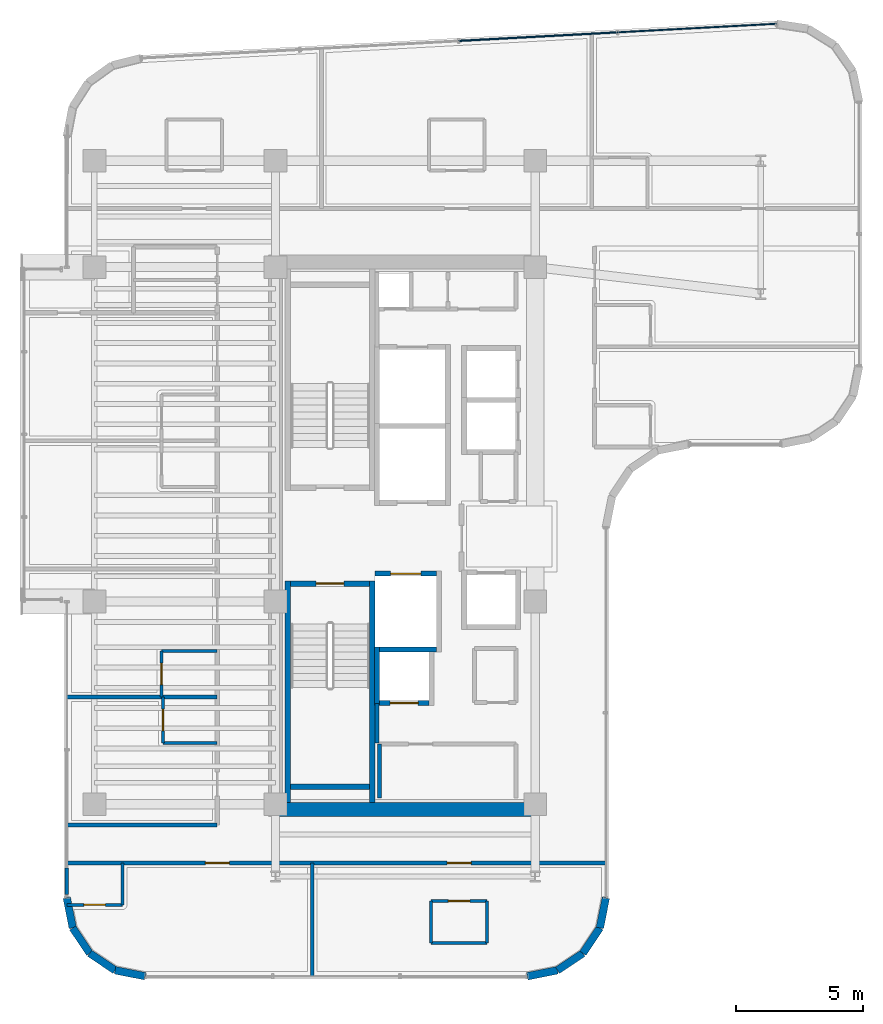
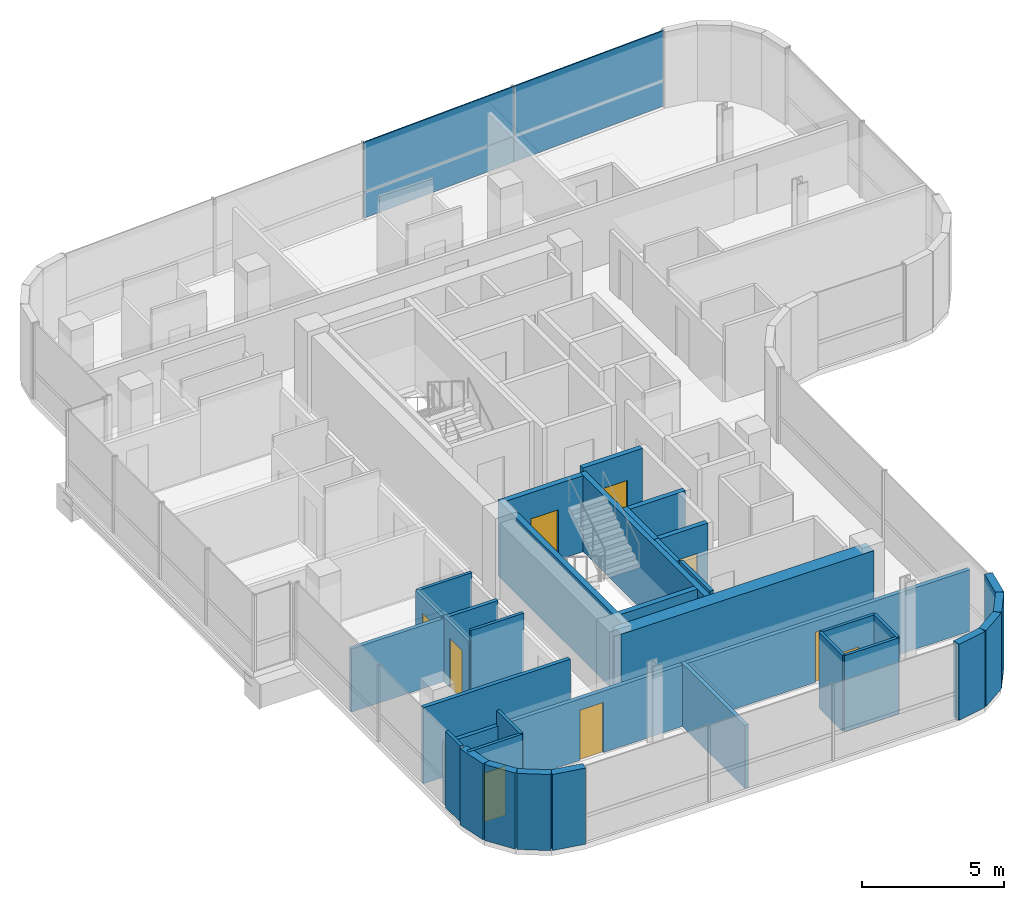
# One storey, part 16 of 22: 34 walls, 9 doors, 3 plates, 9 openings, 1 element without a shape of its own.
"""IFC4 building model written with IfcOpenShell, lengths in metres."""

import ifcopenshell
import ifcopenshell.guid

model = None  # the IFC model being written
_history = None  # IfcOwnerHistory: only IFC2X3 demands one
_inside = {}  # id of a spatial element -> (the spatial element, [elements in it])
_under = {}  # id of a project, library or spatial element -> (it, [spatial elements below it])
_declared = {}  # id of a project -> (the project, [libraries it declares])
_typed = {}  # id of a type object -> (the type object, [elements of that type])
_made_of = {}  # id of a material, layer set ... -> (it, [elements and type objects made of it])


def new_model(schema):
    """Start an empty IFC model of exactly this schema.

    Asked for "IFC4X3", IfcOpenShell would pick the latest addendum, in which some entities
    have other attributes; the version numbers below select the first issue.
    IFC2X3 requires an IfcOwnerHistory on every rooted entity: one is made here for all.
    """
    global model, _history
    if schema == "IFC4X3":
        model = ifcopenshell.file(schema_version=(4, 3, 0, 0))
    else:
        model = ifcopenshell.file(schema=schema)
    _inside.clear()
    _under.clear()
    _declared.clear()
    _typed.clear()
    _made_of.clear()
    _history = None
    if model.schema == "IFC2X3":
        org = make("IfcOrganization", Name="unknown")
        user = make(
            "IfcPersonAndOrganization",
            ThePerson=make("IfcPerson", FamilyName="unknown"),
            TheOrganization=org,
        )
        app = make(
            "IfcApplication",
            ApplicationDeveloper=org,
            Version="unknown",
            ApplicationFullName="unknown",
            ApplicationIdentifier="unknown",
        )
        _history = make(
            "IfcOwnerHistory",
            OwningUser=user,
            OwningApplication=app,
            ChangeAction="ADDED",
            CreationDate=0,
        )
    return model


def make(cls, **values):
    """One entity of the class cls with the attributes given. An attribute that is None is left unset."""
    return model.create_entity(
        cls, **{name: value for name, value in values.items() if value is not None}
    )


def rooted(cls, **values):
    """An entity with a GlobalId (a new one), such as an element, a storey or a relation."""
    return make(cls, GlobalId=ifcopenshell.guid.new(), OwnerHistory=_history, **values)


def si_unit(unit_type, name, prefix=None):
    """IfcSIUnit, for example si_unit("LENGTHUNIT", "METRE", prefix="MILLI")."""
    return make("IfcSIUnit", UnitType=unit_type, Prefix=prefix, Name=name)


def assignment(units):
    """IfcUnitAssignment: the units of a project."""
    return None if units is None else make("IfcUnitAssignment", Units=units)


def point(xyz):
    """IfcCartesianPoint."""
    return None if xyz is None else make("IfcCartesianPoint", Coordinates=xyz)


def direction(xyz):
    """IfcDirection."""
    return None if xyz is None else make("IfcDirection", DirectionRatios=xyz)


def frame(location, z_axis=None, x_axis=None):
    """IfcAxis2Placement3D, a coordinate frame: its origin and axes. An axis left out is left unset."""
    return make(
        "IfcAxis2Placement3D",
        Location=point(location),
        Axis=direction(z_axis),
        RefDirection=direction(x_axis),
    )


def frame_2d(location, x_axis=None):
    """IfcAxis2Placement2D, a coordinate frame in the plane: its origin and x axis."""
    return make(
        "IfcAxis2Placement2D", Location=point(location), RefDirection=direction(x_axis)
    )


def origin():
    """The frame at (0, 0, 0) with its axes left unset."""
    return frame((0.0, 0.0, 0.0))


def origin_2d():
    """The frame at (0, 0) in the plane with its x axis left unset."""
    return frame_2d((0.0, 0.0))


def place(relative_to, where):
    """IfcLocalPlacement: puts the frame where relative to a parent placement (None: the world)."""
    return make(
        "IfcLocalPlacement", PlacementRelTo=relative_to, RelativePlacement=where
    )


def context(
    kind, dimensions, precision=None, world=None, true_north=None, identifier=None
):
    """IfcGeometricRepresentationContext, for example the 3D "Model" context."""
    return make(
        "IfcGeometricRepresentationContext",
        ContextIdentifier=identifier,
        ContextType=kind,
        CoordinateSpaceDimension=dimensions,
        Precision=precision,
        WorldCoordinateSystem=world,
        TrueNorth=true_north,
    )


def subcontext(parent, identifier, kind, view, scale=None):
    """IfcGeometricRepresentationSubContext, for example "Body" below "Model"."""
    return make(
        "IfcGeometricRepresentationSubContext",
        ContextIdentifier=identifier,
        ContextType=kind,
        ParentContext=parent,
        TargetScale=scale,
        TargetView=view,
    )


def project(units=None, contexts=None):
    """IfcProject with its units and contexts."""
    return rooted(
        "IfcProject",
        Name="project",
        RepresentationContexts=contexts,
        UnitsInContext=assignment(units),
    )


def spatial(cls, under=None, at=None, **own):
    """A site, building, storey or space (cls), placed at a placement, below another one or the project."""
    s = rooted(cls, ObjectPlacement=at, **own)
    if under is not None:
        _under.setdefault(under.id(), (under, []))[1].append(s)
    return s


def profile(cls, at=None, kind="AREA", **sizes):
    """A parametric profile (cls). Its sizes go by their IFC names, for example OverallWidth=200.0."""
    return make(cls, ProfileType=kind, Position=at, **sizes)


def rectangle(**sizes):
    """IfcRectangleProfileDef."""
    return profile("IfcRectangleProfileDef", **sizes)


def extrude(swept, where, along, depth):
    """IfcExtrudedAreaSolid: the profile swept, set in the frame where, extruded along a direction by depth."""
    return make(
        "IfcExtrudedAreaSolid",
        SweptArea=swept,
        Position=where,
        ExtrudedDirection=direction(along),
        Depth=depth,
    )


def shape(context_of_items, identifier, shape_type, items):
    """IfcShapeRepresentation: the items that make up one representation, for example the "Body"."""
    return make(
        "IfcShapeRepresentation",
        ContextOfItems=context_of_items,
        RepresentationIdentifier=identifier,
        RepresentationType=shape_type,
        Items=items,
    )


def source(mapping_origin, context_of_items, identifier, shape_type, items):
    """IfcRepresentationMap: a shape defined once, which mapped items show again and again."""
    return make(
        "IfcRepresentationMap",
        MappingOrigin=mapping_origin,
        MappedRepresentation=shape(context_of_items, identifier, shape_type, items),
    )


def transform(
    local_origin,
    x_axis=None,
    y_axis=None,
    z_axis=None,
    scale=None,
    scale2=None,
    scale3=None,
    uniform=True,
):
    """IfcCartesianTransformationOperator3D, or its non-uniform kind. x_axis, y_axis, z_axis: its Axis1, 2, 3."""
    if uniform:
        return make(
            "IfcCartesianTransformationOperator3D",
            Axis1=direction(x_axis),
            Axis2=direction(y_axis),
            LocalOrigin=point(local_origin),
            Scale=scale,
            Axis3=direction(z_axis),
        )
    return make(
        "IfcCartesianTransformationOperator3DnonUniform",
        Axis1=direction(x_axis),
        Axis2=direction(y_axis),
        LocalOrigin=point(local_origin),
        Scale=scale,
        Axis3=direction(z_axis),
        Scale2=scale2,
        Scale3=scale3,
    )


def mapped(mapping_source, mapping_target):
    """IfcMappedItem: shows the shape of a source again, moved by a transform."""
    return make(
        "IfcMappedItem", MappingSource=mapping_source, MappingTarget=mapping_target
    )


def material(Name=None, Category=None):
    """IfcMaterial."""
    return make("IfcMaterial", Name=Name, Category=Category)


def layer(
    of_material, thickness, ventilated=None, Name=None, Category=None, Priority=None
):
    """IfcMaterialLayer: one layer of a wall or slab, of a material (None: an air gap)."""
    return make(
        "IfcMaterialLayer",
        Material=of_material,
        LayerThickness=thickness,
        IsVentilated=ventilated,
        Name=Name,
        Category=Category,
        Priority=Priority,
    )


def layer_set(layers, Name=None):
    """IfcMaterialLayerSet."""
    return make("IfcMaterialLayerSet", MaterialLayers=layers, LayerSetName=Name)


def made_of(thing, what):
    """Note that an element or type object is made of a material, layer set ...; save() writes the relation."""
    if what is not None:
        _made_of.setdefault(what.id(), (what, []))[1].append(thing)
    return thing


def type_object(cls, material=None, **own):
    """A type object (cls), such as IfcWallType, which elements share."""
    return made_of(rooted(cls, **own), material)


def element(
    cls,
    number,
    at=None,
    inside=None,
    cuts=None,
    type_object=None,
    material=None,
    context=None,
    identifier="Body",
    shape_type=None,
    held_by="IfcProductDefinitionShape",
    body=None,
    shapes=None,
    **own,
):
    """One element of the class cls, such as IfcWall. Its Tag is "e" and its number.

    at: its placement. inside: the storey or other place that contains it. cuts: it is an
    opening in that element (IfcRelVoidsElement). A single representation is given by context,
    identifier, shape_type and body (its items); several are given by shapes. held_by: the class
    of the entity that holds the representations. save() writes the other relations.
    """
    e = rooted(cls, Tag="e%d" % number, ObjectPlacement=at, **own)
    if body is not None:
        shapes = [shape(context, identifier, shape_type, body)]
    if shapes is not None:
        e.Representation = make(held_by, Representations=shapes)
    if inside is not None:
        _inside.setdefault(inside.id(), (inside, []))[1].append(e)
    if cuts is not None:
        rooted(
            "IfcRelVoidsElement", RelatingBuildingElement=cuts, RelatedOpeningElement=e
        )
    if type_object is not None:
        _typed.setdefault(type_object.id(), (type_object, []))[1].append(e)
    return made_of(e, material)


def fill(opening, filler):
    """IfcRelFillsElement: the door or window that sits in an opening."""
    return rooted(
        "IfcRelFillsElement",
        RelatingOpeningElement=opening,
        RelatedBuildingElement=filler,
    )


def aggregate(whole, parts):
    """IfcRelAggregates: a whole, such as a stair, and the parts it consists of."""
    return rooted("IfcRelAggregates", RelatingObject=whole, RelatedObjects=parts)


def save(model, path):
    """Write the relations noted so far, then the file.

    IfcRelAggregates (storeys below a building ...), IfcRelContainedInSpatialStructure (elements
    in a storey), IfcRelDefinesByType, IfcRelAssociatesMaterial and IfcRelDeclares: one each for
    every whole, place, type object, material and project.
    """
    for whole, parts in _under.values():
        aggregate(whole, parts)
    for where, things in _inside.values():
        rooted(
            "IfcRelContainedInSpatialStructure",
            RelatedElements=things,
            RelatingStructure=where,
        )
    for kind, things in _typed.values():
        rooted("IfcRelDefinesByType", RelatedObjects=things, RelatingType=kind)
    for what, things in _made_of.values():
        rooted("IfcRelAssociatesMaterial", RelatedObjects=things, RelatingMaterial=what)
    for by, libraries in _declared.values():
        rooted("IfcRelDeclares", RelatingContext=by, RelatedDefinitions=libraries)
    model.write(path)


model = new_model("IFC4")

# Units and contexts
model_context = context("Model", 3, precision=1e-05, world=origin(), true_north=direction((0.0, 1.0)))
body_context = subcontext(model_context, "Body", "Model", "MODEL_VIEW")
ifc_project = project(units=[si_unit("LENGTHUNIT", "METRE"), si_unit("AREAUNIT", "SQUARE_METRE"), si_unit("VOLUMEUNIT", "CUBIC_METRE"), si_unit("PLANEANGLEUNIT", "RADIAN"), si_unit("MASSUNIT", "GRAM", prefix="KILO")], contexts=[model_context])

# Site, building, storey
site_placement = place(None, origin())
site = spatial("IfcSite", under=ifc_project, at=site_placement, CompositionType="ELEMENT")
building_placement = place(site_placement, origin())
building = spatial("IfcBuilding", under=site, at=building_placement, Name="Valdorenza Pilgrim Sanctuary Tower", CompositionType="ELEMENT")
storey_placement = place(building_placement, frame((0.0, 0.0, 212.5)))
storey = spatial("IfcBuildingStorey", under=building, at=storey_placement, Name="L54", CompositionType="ELEMENT", Elevation=212.5)

# Curtain wall, plates
ifc_material_1 = material(Name="Curtain-wall IGU glazing", Category="glass")
curtain_wall_type = type_object("IfcCurtainWallType", Name="CW-SYS-02", PredefinedType="NOTDEFINED", material=ifc_material_1)
curtain_wall_placement = place(storey_placement, origin())
curtain_wall = element("IfcCurtainWall", 1, at=curtain_wall_placement, inside=storey, type_object=curtain_wall_type, Name="L54 Curtain Wall CW-L54-1-6", PredefinedType="NOTDEFINED")
ifc_material_2 = material(Name="Honed travertine limestone", Category="masonry")
ifc_layer_1 = layer(ifc_material_2, 0.050048828125, Name="Honed travertine limestone")
ifc_layer_set_1 = layer_set([ifc_layer_1], Name="Honed travertine limestone")
plate_type_1 = type_object("IfcPlateType", Name="CW-SPN-TRV", PredefinedType="USERDEFINED", material=ifc_layer_set_1)
shared_shape_1 = source(origin(), body_context, "Body", "SweptSolid", [
    extrude(rectangle(XDim=6.2587890625, YDim=0.06005859375, at=origin_2d()), origin(), (0.0, 0.0, 1.0), 1.10009765625),
])
plate_1_placement = place(storey_placement, frame((-12.281982421875, 19.699951171875, 0.010009765625), z_axis=(0.0, 0.0, 1.0), x_axis=(0.998547034311, 0.053887106711, 0.0)))
plate_1 = element("IfcPlate", 2, at=plate_1_placement, type_object=plate_type_1, Name="CW-L54-1-6 Travertine Spandrel 3", ObjectType="SPANDREL", PredefinedType="USERDEFINED", context=body_context, shape_type="MappedRepresentation", body=[
    mapped(shared_shape_1, transform((0.0, 0.0, 0.0), x_axis=(1.0, 0.0, 0.0), y_axis=(0.0, 1.0, 0.0), z_axis=(0.0, 0.0, 1.0), scale=1.0)),
])
ifc_material_3 = material(Name="Ceramic-fritted low-E IGU glazing", Category="glass")
ifc_layer_2 = layer(ifc_material_3, 0.035888671875, Name="Ceramic-fritted low-E IGU glazing")
ifc_layer_set_2 = layer_set([ifc_layer_2], Name="Ceramic-fritted low-E IGU glazing")
plate_type_2 = type_object("IfcPlateType", Name="CW-GLZ-IGU", PredefinedType="USERDEFINED", material=ifc_layer_set_2)
shared_shape_2 = source(origin(), body_context, "Body", "SweptSolid", [
    extrude(rectangle(XDim=6.2587890625, YDim=0.050048828125, at=origin_2d()), origin(), (0.0, 0.0, 1.0), 2.1201171875),
])
plate_2_placement = place(storey_placement, frame((-12.281982421875, 19.699951171875, 1.1298828125), z_axis=(0.0, 0.0, 1.0), x_axis=(0.998547034311, 0.053887106711, 0.0)))
plate_2 = element("IfcPlate", 3, at=plate_2_placement, type_object=plate_type_2, Name="CW-L54-1-6 Facade Panel 3", ObjectType="GLAZING", PredefinedType="USERDEFINED", context=body_context, shape_type="MappedRepresentation", body=[
    mapped(shared_shape_2, transform((0.0, 0.0, 0.0), x_axis=(1.0, 0.0, 0.0), y_axis=(0.0, 1.0, 0.0), z_axis=(0.0, 0.0, 1.0), scale=1.0)),
])
shared_shape_3 = source(origin(), body_context, "Body", "SweptSolid", [
    extrude(rectangle(XDim=6.2587890625, YDim=0.050048828125, at=origin_2d()), origin(), (0.0, 0.0, 1.0), 3.239990234375),
])
plate_3_placement = place(storey_placement, frame((-6.012451171875, 20.038330078125, 0.009765625), z_axis=(0.0, 0.0, 1.0), x_axis=(0.998547034311, 0.053887106711, 0.0)))
plate_3 = element("IfcPlate", 4, at=plate_3_placement, type_object=plate_type_2, Name="CW-L54-1-6 Full-Height Facade Panel 4", ObjectType="GLAZING", PredefinedType="USERDEFINED", context=body_context, shape_type="MappedRepresentation", body=[
    mapped(shared_shape_3, transform((0.0, 0.0, 0.0), x_axis=(1.0, 0.0, 0.0), y_axis=(0.0, 1.0, 0.0), z_axis=(0.0, 0.0, 1.0), scale=1.0)),
])
aggregate(curtain_wall, [plate_1, plate_2, plate_3])

# Wall
ifc_material_4 = material(Name="Acoustic twin-stud gypsum partition", Category="gypsum")
ifc_layer_3 = layer(ifc_material_4, 0.159912109375, Name="Acoustic twin-stud gypsum partition")
ifc_layer_set_3 = layer_set([ifc_layer_3], Name="Acoustic twin-stud gypsum partition")
wall_type_1 = type_object("IfcWallType", Name="WAL-COR-160", PredefinedType="PARTITIONING", material=ifc_layer_set_3)
wall_1_placement = place(storey_placement, frame((-18.64990234375, -8.179931640625, 0.0), z_axis=(0.0, 0.0, 1.0), x_axis=(0.0, 1.0, 0.0)))
element("IfcWall", 5, at=wall_1_placement, inside=storey, type_object=wall_type_1, Name="L54 Core A South Lift Hall West Wall", PredefinedType="PARTITIONING", context=body_context, shape_type="SweptSolid", body=[
    extrude(rectangle(XDim=1.559814453125, YDim=0.159912109375, at=frame_2d((0.77978515625, 0.0))), origin(), (0.0, 0.0, 1.0), 3.260009765625),
])

# Wall, openings, doors
wall_2_placement = place(storey_placement, frame((-30.889892578125, -12.919921875, 0.0), z_axis=(0.0, 0.0, 1.0), x_axis=(1.0, 0.0, 0.0)))
wall_2 = element("IfcWall", 6, at=wall_2_placement, inside=storey, type_object=wall_type_1, Name="L54 South Wing Corridor Wall", PredefinedType="PARTITIONING", context=body_context, shape_type="SweptSolid", body=[
    extrude(rectangle(XDim=21.27978515625, YDim=0.159912109375, at=frame_2d((10.639892578125, 0.0))), origin(), (0.0, 0.0, 1.0), 2.634033203125),
])
opening_1_placement = place(wall_2_placement, frame((5.469970703125, 0.0, 0.0)))
opening_1 = element("IfcOpeningElement", 7, at=opening_1_placement, cuts=wall_2, Name="Opening DR-UN1", PredefinedType="OPENING", context=body_context, shape_type="SweptSolid", body=[
    extrude(rectangle(XDim=0.949951171875, YDim=2.14990234375, at=frame_2d((0.47509765625, 1.074951171875))), frame((0.0, 0.0947265625, 0.0), z_axis=(0.0, -1.0, 0.0), x_axis=(1.0, 0.0, 0.0)), (0.0, 0.0, 1.0), 0.189697265625),
])
opening_2_placement = place(wall_2_placement, frame((15.010009765625, 0.0, 0.0)))
opening_2 = element("IfcOpeningElement", 8, at=opening_2_placement, cuts=wall_2, Name="Opening DR-UN1", PredefinedType="OPENING", context=body_context, shape_type="SweptSolid", body=[
    extrude(rectangle(XDim=0.949951171875, YDim=2.14990234375, at=frame_2d((0.47509765625, 1.074951171875))), frame((0.0, 0.0947265625, 0.0), z_axis=(0.0, -1.0, 0.0), x_axis=(1.0, 0.0, 0.0)), (0.0, 0.0, 1.0), 0.189697265625),
])
ifc_material_5 = material(Name="Solid-core European oak timber", Category="wood")
door_type_1 = type_object("IfcDoorType", Name="DR-UNIT-950", OperationType="NOTDEFINED", PredefinedType="DOOR", material=ifc_material_5)
door_1_placement = place(opening_1_placement, origin())
door_1 = element("IfcDoor", 9, at=door_1_placement, inside=storey, type_object=door_type_1, Name="L54 South Guest Room L54-S1 Entrance Door", OperationType="SINGLE_SWING_RIGHT", OverallHeight=2.14990234375, OverallWidth=0.949951171875, PredefinedType="DOOR", context=body_context, shape_type="SweptSolid", body=[
    extrude(rectangle(XDim=0.949951171875, YDim=2.14990234375, at=frame_2d((0.47509765625, 1.074951171875))), frame((0.0, 0.02490234375, 0.0), z_axis=(0.0, -1.0, 0.0), x_axis=(1.0, 0.0, 0.0)), (0.0, 0.0, 1.0), 0.050048828125),
])
fill(opening_1, door_1)
door_2_placement = place(opening_2_placement, origin())
door_2 = element("IfcDoor", 10, at=door_2_placement, inside=storey, type_object=door_type_1, Name="L54 South Guest Room L54-S2 Entrance Door", OperationType="SINGLE_SWING_RIGHT", OverallHeight=2.14990234375, OverallWidth=0.949951171875, PredefinedType="DOOR", context=body_context, shape_type="SweptSolid", body=[
    extrude(rectangle(XDim=0.949951171875, YDim=2.14990234375, at=frame_2d((0.47509765625, 1.074951171875))), frame((0.0, 0.02490234375, 0.0), z_axis=(0.0, -1.0, 0.0), x_axis=(1.0, 0.0, 0.0)), (0.0, 0.0, 1.0), 0.050048828125),
])
fill(opening_2, door_2)

# Walls
wall_3_placement = place(storey_placement, frame((-30.889892578125, -11.419921875, 0.0), z_axis=(0.0, 0.0, 1.0), x_axis=(1.0, 0.0, 0.0)))
element("IfcWall", 11, at=wall_3_placement, inside=storey, type_object=wall_type_1, Name="L54 South-West Corridor North Wall", PredefinedType="PARTITIONING", context=body_context, shape_type="SweptSolid", body=[
    extrude(rectangle(XDim=5.93994140625, YDim=0.159912109375, at=frame_2d((2.969970703125, 0.0))), origin(), (0.0, 0.0, 1.0), 3.260009765625),
])
ifc_material_6 = material(Name="Concrete C50/60", Category="concrete")
ifc_layer_4 = layer(ifc_material_6, 0.550048828125, Name="Concrete C50/60")
ifc_layer_set_4 = layer_set([ifc_layer_4], Name="Concrete C50/60")
wall_type_2 = type_object("IfcWallType", Name="WAL-COR-550", PredefinedType="SHEAR", material=ifc_layer_set_4)
wall_4_placement = place(storey_placement, frame((-22.64990234375, -10.800048828125, 0.0), z_axis=(0.0, 0.0, 1.0), x_axis=(1.0, 0.0, 0.0)))
element("IfcWall", 12, at=wall_4_placement, inside=storey, type_object=wall_type_2, Name="L54 Split Core A Shear Wall S", PredefinedType="SHEAR", context=body_context, shape_type="SweptSolid", body=[
    extrude(rectangle(XDim=10.25, YDim=0.550048828125, at=frame_2d((5.125, 0.0))), origin(), (0.0, 0.0, 1.0), 3.260009765625),
])
ifc_layer_5 = layer(ifc_material_2, 0.300048828125, Name="Honed travertine limestone")
ifc_layer_set_5 = layer_set([ifc_layer_5], Name="Honed travertine limestone")
wall_type_3 = type_object("IfcWallType", Name="WAL-EXT-300", PredefinedType="SOLIDWALL", material=ifc_layer_set_5)
wall_5_placement = place(storey_placement, frame((-9.610107421875, -14.289306640625, 0.0), z_axis=(0.0, 0.0, 1.0), x_axis=(-0.194996050505, -0.980804027463, 0.0)))
element("IfcWall", 13, at=wall_5_placement, inside=storey, type_object=wall_type_3, Name="L54 Rounded Wind-Corner Stone Pier 22", PredefinedType="SOLIDWALL", context=body_context, shape_type="SweptSolid", body=[
    extrude(rectangle(XDim=1.2158203125, YDim=0.300048828125, at=frame_2d((0.60791015625, 0.0))), origin(), (0.0, 0.0, 1.0), 3.260009765625),
])
for number, where, z_axis, x_axis, name in (
    (14, (-9.84716796875, -15.481689453125, 0.0), (0.0, 0.0, 1.0), (-0.555635100982, -0.831426265255, 0.0), "L54 Rounded Wind-Corner Stone Pier 23"),
    (15, (-10.5166015625, -16.4833984375, 0.0), (0.0, 0.0, 1.0), (-0.831426265255, -0.555635100982, 0.0), "L54 Rounded Wind-Corner Stone Pier 24"),
):
    element("IfcWall", number, at=place(storey_placement, frame(where, z_axis=z_axis, x_axis=x_axis)), inside=storey, type_object=wall_type_3, Name=name, PredefinedType="SOLIDWALL", context=body_context, shape_type="SweptSolid", body=[
        extrude(rectangle(XDim=1.204833984375, YDim=0.300048828125, at=frame_2d((0.6025390625, 0.0))), origin(), (0.0, 0.0, 1.0), 3.260009765625),
    ])
for number, where, z_axis, x_axis, name in (
    (16, (-11.518310546875, -17.15283203125, 0.0), (0.0, 0.0, 1.0), (-0.980804027463, -0.194996050505, 0.0), "L54 Rounded Wind-Corner Stone Pier 25"),
    (17, (-27.789306640625, -17.389892578125, 0.0), (0.0, 0.0, 1.0), (-0.980804027463, 0.194996050505, 0.0), "L54 Rounded Wind-Corner Stone Pier 27"),
):
    element("IfcWall", number, at=place(storey_placement, frame(where, z_axis=z_axis, x_axis=x_axis)), inside=storey, type_object=wall_type_3, Name=name, PredefinedType="SOLIDWALL", context=body_context, shape_type="SweptSolid", body=[
        extrude(rectangle(XDim=1.2158203125, YDim=0.300048828125, at=frame_2d((0.60791015625, 0.0))), origin(), (0.0, 0.0, 1.0), 3.260009765625),
    ])
for number, where, z_axis, x_axis, name in (
    (18, (-28.981689453125, -17.15283203125, 0.0), (0.0, 0.0, 1.0), (-0.831426265255, 0.555635100982, 0.0), "L54 Rounded Wind-Corner Stone Pier 28"),
    (19, (-29.9833984375, -16.4833984375, 0.0), (0.0, 0.0, 1.0), (-0.555635100982, 0.831426265255, 0.0), "L54 Rounded Wind-Corner Stone Pier 29"),
):
    element("IfcWall", number, at=place(storey_placement, frame(where, z_axis=z_axis, x_axis=x_axis)), inside=storey, type_object=wall_type_3, Name=name, PredefinedType="SOLIDWALL", context=body_context, shape_type="SweptSolid", body=[
        extrude(rectangle(XDim=1.204833984375, YDim=0.300048828125, at=frame_2d((0.6025390625, 0.0))), origin(), (0.0, 0.0, 1.0), 3.260009765625),
    ])
wall_6_placement = place(storey_placement, frame((-30.65283203125, -15.481689453125, 0.0), z_axis=(0.0, 0.0, 1.0), x_axis=(-0.194996050505, 0.980804027463, 0.0)))
element("IfcWall", 20, at=wall_6_placement, inside=storey, type_object=wall_type_3, Name="L54 Rounded Wind-Corner Stone Pier 30", PredefinedType="SOLIDWALL", context=body_context, shape_type="SweptSolid", body=[
    extrude(rectangle(XDim=1.2158203125, YDim=0.300048828125, at=frame_2d((0.60791015625, 0.0))), origin(), (0.0, 0.0, 1.0), 3.260009765625),
])
ifc_material_7 = material(Name="Moisture-resistant gypsum partition", Category="gypsum")
ifc_layer_6 = layer(ifc_material_7, 0.1201171875, Name="Moisture-resistant gypsum partition")
ifc_layer_set_6 = layer_set([ifc_layer_6], Name="Moisture-resistant gypsum partition")
wall_type_4 = type_object("IfcWallType", Name="WAL-INT-120", PredefinedType="PARTITIONING", material=ifc_layer_set_6)
wall_7_placement = place(storey_placement, frame((-27.087890625, -8.18505859375, 0.0), z_axis=(0.0, 0.0, 1.0), x_axis=(1.0, 0.0, 0.0)))
element("IfcWall", 21, at=wall_7_placement, inside=storey, type_object=wall_type_4, Name="L54 Pilgrim Guest Room L54-W1 En-suite South Wall", PredefinedType="PARTITIONING", context=body_context, shape_type="SweptSolid", body=[
    extrude(rectangle(XDim=2.137939453125, YDim=0.1201171875, at=frame_2d((1.06884765625, 0.0))), origin(), (0.0, 0.0, 1.0), 3.260009765625),
])

# Wall, opening, door
wall_8_placement = place(storey_placement, frame((-27.087890625, -8.18505859375, 0.0), z_axis=(0.0, 0.0, 1.0), x_axis=(0.0, 1.0, 0.0)))
wall_8 = element("IfcWall", 22, at=wall_8_placement, inside=storey, type_object=wall_type_4, Name="L54 Pilgrim Guest Room L54-W1 En-suite Door Wall", PredefinedType="PARTITIONING", context=body_context, shape_type="SweptSolid", body=[
    extrude(rectangle(XDim=1.820068359375, YDim=0.1201171875, at=frame_2d((0.91015625, 0.0))), origin(), (0.0, 0.0, 1.0), 2.7880859375),
])
opening_3_placement = place(wall_8_placement, frame((0.485107421875, 0.0, 0.0)))
opening_3 = element("IfcOpeningElement", 23, at=opening_3_placement, cuts=wall_8, Name="Opening DR-WC1", PredefinedType="OPENING", context=body_context, shape_type="SweptSolid", body=[
    extrude(rectangle(XDim=0.85009765625, YDim=2.10009765625, at=frame_2d((0.425048828125, 1.050048828125))), frame((0.0, 0.074951171875, 0.0), z_axis=(0.0, -1.0, 0.0), x_axis=(1.0, 0.0, 0.0)), (0.0, 0.0, 1.0), 0.14990234375),
])
ifc_material_8 = material(Name="Moisture-resistant lacquered timber", Category="wood")
door_type_2 = type_object("IfcDoorType", Name="DR-BATH-850", OperationType="NOTDEFINED", PredefinedType="DOOR", material=ifc_material_8)
door_3_placement = place(opening_3_placement, origin())
door_3 = element("IfcDoor", 24, at=door_3_placement, inside=storey, type_object=door_type_2, Name="L54 Pilgrim Guest Room L54-W1 En-suite Bathroom Door", OperationType="SINGLE_SWING_LEFT", OverallHeight=2.10009765625, OverallWidth=0.85009765625, PredefinedType="DOOR", context=body_context, shape_type="SweptSolid", body=[
    extrude(rectangle(XDim=0.85009765625, YDim=2.10009765625, at=frame_2d((0.425048828125, 1.050048828125))), frame((0.0, 0.02490234375, 0.0), z_axis=(0.0, -1.0, 0.0), x_axis=(1.0, 0.0, 0.0)), (0.0, 0.0, 1.0), 0.050048828125),
])
fill(opening_3, door_3)

# Wall
wall_9_placement = place(storey_placement, frame((-27.14990234375, -4.544921875, 0.0), z_axis=(0.0, 0.0, 1.0), x_axis=(1.0, 0.0, 0.0)))
element("IfcWall", 25, at=wall_9_placement, inside=storey, type_object=wall_type_4, Name="L54 Pilgrim Guest Room L54-W2 En-suite North Wall", PredefinedType="PARTITIONING", context=body_context, shape_type="SweptSolid", body=[
    extrude(rectangle(XDim=2.199951171875, YDim=0.1201171875, at=frame_2d((1.10009765625, 0.0))), origin(), (0.0, 0.0, 1.0), 2.7880859375),
])

# Wall, opening, door
wall_10_placement = place(storey_placement, frame((-27.14990234375, -6.364990234375, 0.0), z_axis=(0.0, 0.0, 1.0), x_axis=(0.0, 1.0, 0.0)))
wall_10 = element("IfcWall", 26, at=wall_10_placement, inside=storey, type_object=wall_type_4, Name="L54 Pilgrim Guest Room L54-W2 En-suite Door Wall", PredefinedType="PARTITIONING", context=body_context, shape_type="SweptSolid", body=[
    extrude(rectangle(XDim=1.820068359375, YDim=0.1201171875, at=frame_2d((0.91015625, 0.0))), origin(), (0.0, 0.0, 1.0), 2.7880859375),
])
opening_4_placement = place(wall_10_placement, frame((0.485107421875, 0.0, 0.0)))
opening_4 = element("IfcOpeningElement", 27, at=opening_4_placement, cuts=wall_10, Name="Opening DR-WC1", PredefinedType="OPENING", context=body_context, shape_type="SweptSolid", body=[
    extrude(rectangle(XDim=0.85009765625, YDim=2.10009765625, at=frame_2d((0.425048828125, 1.050048828125))), frame((0.0, 0.074951171875, 0.0), z_axis=(0.0, -1.0, 0.0), x_axis=(1.0, 0.0, 0.0)), (0.0, 0.0, 1.0), 0.14990234375),
])
door_4_placement = place(opening_4_placement, origin())
door_4 = element("IfcDoor", 28, at=door_4_placement, inside=storey, type_object=door_type_2, Name="L54 Pilgrim Guest Room L54-W2 En-suite Bathroom Door", OperationType="SINGLE_SWING_LEFT", OverallHeight=2.10009765625, OverallWidth=0.85009765625, PredefinedType="DOOR", context=body_context, shape_type="SweptSolid", body=[
    extrude(rectangle(XDim=0.85009765625, YDim=2.10009765625, at=frame_2d((0.425048828125, 1.050048828125))), frame((0.0, 0.02490234375, 0.0), z_axis=(0.0, -1.0, 0.0), x_axis=(1.0, 0.0, 0.0)), (0.0, 0.0, 1.0), 0.050048828125),
])
fill(opening_4, door_4)

# Wall
wall_11_placement = place(storey_placement, frame((-28.68994140625, -14.570068359375, 0.0), z_axis=(0.0, 0.0, 1.0), x_axis=(0.0, 1.0, 0.0)))
element("IfcWall", 29, at=wall_11_placement, inside=storey, type_object=wall_type_4, Name="L54 South Guest Room L54-S1 En-suite East Wall", PredefinedType="PARTITIONING", context=body_context, shape_type="SweptSolid", body=[
    extrude(rectangle(XDim=1.650146484375, YDim=0.1201171875, at=frame_2d((0.8251953125, 0.0))), origin(), (0.0, 0.0, 1.0), 3.260009765625),
])

# Wall, opening, door
wall_12_placement = place(storey_placement, frame((-30.889892578125, -14.570068359375, 0.0), z_axis=(0.0, 0.0, 1.0), x_axis=(1.0, 0.0, 0.0)))
wall_12 = element("IfcWall", 30, at=wall_12_placement, inside=storey, type_object=wall_type_4, Name="L54 South Guest Room L54-S1 En-suite Door Wall", PredefinedType="PARTITIONING", context=body_context, shape_type="SweptSolid", body=[
    extrude(rectangle(XDim=2.199951171875, YDim=0.1201171875, at=frame_2d((1.10009765625, 0.0))), origin(), (0.0, 0.0, 1.0), 3.260009765625),
])
opening_5_placement = place(wall_12_placement, frame((0.675048828125, 0.0, 0.0)))
opening_5 = element("IfcOpeningElement", 31, at=opening_5_placement, cuts=wall_12, Name="Opening DR-WC1", PredefinedType="OPENING", context=body_context, shape_type="SweptSolid", body=[
    extrude(rectangle(XDim=0.85009765625, YDim=2.10009765625, at=frame_2d((0.425048828125, 1.050048828125))), frame((0.0, 0.074951171875, 0.0), z_axis=(0.0, -1.0, 0.0), x_axis=(1.0, 0.0, 0.0)), (0.0, 0.0, 1.0), 0.14990234375),
])
door_5_placement = place(opening_5_placement, origin())
door_5 = element("IfcDoor", 32, at=door_5_placement, inside=storey, type_object=door_type_2, Name="L54 South Guest Room L54-S1 En-suite Bathroom Door", OperationType="SINGLE_SWING_LEFT", OverallHeight=2.10009765625, OverallWidth=0.85009765625, PredefinedType="DOOR", context=body_context, shape_type="SweptSolid", body=[
    extrude(rectangle(XDim=0.85009765625, YDim=2.10009765625, at=frame_2d((0.425048828125, 1.050048828125))), frame((0.0, 0.02490234375, 0.0), z_axis=(0.0, -1.0, 0.0), x_axis=(1.0, 0.0, 0.0)), (0.0, 0.0, 1.0), 0.050048828125),
])
fill(opening_5, door_5)

# Walls
wall_13_placement = place(storey_placement, frame((-30.889892578125, -14.166748046875, 0.0), z_axis=(0.0, 0.0, 1.0), x_axis=(0.0, 1.0, 0.0)))
element("IfcWall", 33, at=wall_13_placement, inside=storey, type_object=wall_type_4, Name="L54 SW-G1-ENS Enclosure Wall W", PredefinedType="PARTITIONING", context=body_context, shape_type="SweptSolid", body=[
    extrude(rectangle(XDim=1.046630859375, YDim=0.1201171875, at=frame_2d((0.5234375, 0.0))), origin(), (0.0, 0.0, 1.0), 3.260009765625),
])
for number, where, z_axis, x_axis, name in (
    (34, (-16.5048828125, -16.070068359375, 0.0), (0.0, 0.0, 1.0), (0.0, 1.0, 0.0), "L54 South Guest Room L54-S2 En-suite West Wall"),
    (35, (-14.304931640625, -16.070068359375, 0.0), (0.0, 0.0, 1.0), (0.0, 1.0, 0.0), "L54 South Guest Room L54-S2 En-suite East Wall"),
):
    element("IfcWall", number, at=place(storey_placement, frame(where, z_axis=z_axis, x_axis=x_axis)), inside=storey, type_object=wall_type_4, Name=name, PredefinedType="PARTITIONING", context=body_context, shape_type="SweptSolid", body=[
        extrude(rectangle(XDim=1.650146484375, YDim=0.1201171875, at=frame_2d((0.8251953125, 0.0))), origin(), (0.0, 0.0, 1.0), 3.260009765625),
    ])
wall_14_placement = place(storey_placement, frame((-16.5048828125, -16.070068359375, 0.0), z_axis=(0.0, 0.0, 1.0), x_axis=(1.0, 0.0, 0.0)))
element("IfcWall", 36, at=wall_14_placement, inside=storey, type_object=wall_type_4, Name="L54 South Guest Room L54-S2 En-suite Back Wall", PredefinedType="PARTITIONING", context=body_context, shape_type="SweptSolid", body=[
    extrude(rectangle(XDim=2.199951171875, YDim=0.1201171875, at=frame_2d((1.10009765625, 0.0))), origin(), (0.0, 0.0, 1.0), 3.260009765625),
])

# Wall, opening, door
wall_15_placement = place(storey_placement, frame((-16.5048828125, -14.419921875, 0.0), z_axis=(0.0, 0.0, 1.0), x_axis=(1.0, 0.0, 0.0)))
wall_15 = element("IfcWall", 37, at=wall_15_placement, inside=storey, type_object=wall_type_4, Name="L54 South Guest Room L54-S2 En-suite Door Wall", PredefinedType="PARTITIONING", context=body_context, shape_type="SweptSolid", body=[
    extrude(rectangle(XDim=2.199951171875, YDim=0.1201171875, at=frame_2d((1.10009765625, 0.0))), origin(), (0.0, 0.0, 1.0), 3.260009765625),
])
opening_6_placement = place(wall_15_placement, frame((0.675048828125, 0.0, 0.0)))
opening_6 = element("IfcOpeningElement", 38, at=opening_6_placement, cuts=wall_15, Name="Opening DR-WC1", PredefinedType="OPENING", context=body_context, shape_type="SweptSolid", body=[
    extrude(rectangle(XDim=0.85009765625, YDim=2.10009765625, at=frame_2d((0.425048828125, 1.050048828125))), frame((0.0, 0.074951171875, 0.0), z_axis=(0.0, -1.0, 0.0), x_axis=(1.0, 0.0, 0.0)), (0.0, 0.0, 1.0), 0.14990234375),
])
door_6_placement = place(opening_6_placement, origin())
door_6 = element("IfcDoor", 39, at=door_6_placement, inside=storey, type_object=door_type_2, Name="L54 South Guest Room L54-S2 En-suite Bathroom Door", OperationType="SINGLE_SWING_LEFT", OverallHeight=2.10009765625, OverallWidth=0.85009765625, PredefinedType="DOOR", context=body_context, shape_type="SweptSolid", body=[
    extrude(rectangle(XDim=0.85009765625, YDim=2.10009765625, at=frame_2d((0.425048828125, 1.050048828125))), frame((0.0, 0.02490234375, 0.0), z_axis=(0.0, -1.0, 0.0), x_axis=(1.0, 0.0, 0.0)), (0.0, 0.0, 1.0), 0.050048828125),
])
fill(opening_6, door_6)

# Wall
ifc_material_9 = material(Name="Autoclaved aerated concrete blockwork", Category="masonry")
ifc_layer_7 = layer(ifc_material_9, 0.199951171875, Name="Autoclaved aerated concrete blockwork")
ifc_layer_set_7 = layer_set([ifc_layer_7], Name="Autoclaved aerated concrete blockwork")
wall_type_5 = type_object("IfcWallType", Name="WAL-SHF-200", PredefinedType="MOVABLE", material=ifc_layer_set_7)
wall_16_placement = place(storey_placement, frame((-18.719970703125, -4.5, 0.0), z_axis=(0.0, 0.0, 1.0), x_axis=(1.0, 0.0, 0.0)))
element("IfcWall", 40, at=wall_16_placement, inside=storey, type_object=wall_type_5, Name="L54 Lift FFL-02 Hoistway Wall South", PredefinedType="MOVABLE", context=body_context, shape_type="SweptSolid", body=[
    extrude(rectangle(XDim=2.419921875, YDim=0.199951171875, at=frame_2d((1.2099609375, 0.0))), origin(), (0.0, 0.0, 1.0), 3.260009765625),
])

# Wall, opening, door
wall_17_placement = place(storey_placement, frame((-18.719970703125, -1.5, 0.0), z_axis=(0.0, 0.0, 1.0), x_axis=(1.0, 0.0, 0.0)))
wall_17 = element("IfcWall", 41, at=wall_17_placement, inside=storey, type_object=wall_type_5, Name="L54 Lift FFL-02 Hoistway Wall North", PredefinedType="MOVABLE", context=body_context, shape_type="SweptSolid", body=[
    extrude(rectangle(XDim=2.419921875, YDim=0.199951171875, at=frame_2d((1.2099609375, 0.0))), origin(), (0.0, 0.0, 1.0), 3.260009765625),
])
opening_7_placement = place(wall_17_placement, frame((0.610107421875, 0.0, 0.0)))
opening_7 = element("IfcOpeningElement", 42, at=opening_7_placement, cuts=wall_17, Name="Opening LD-02", PredefinedType="OPENING", context=body_context, shape_type="SweptSolid", body=[
    extrude(rectangle(XDim=1.199951171875, YDim=2.10009765625, at=frame_2d((0.60009765625, 1.050048828125))), frame((0.0, 0.11474609375, 0.0), z_axis=(0.0, -1.0, 0.0), x_axis=(1.0, 0.0, 0.0)), (0.0, 0.0, 1.0), 0.229736328125),
])
ifc_material_10 = material(Name="Brushed stainless steel Grade 316", Category="steel")
door_type_3 = type_object("IfcDoorType", Name="DR-LFT-1200", OperationType="DOUBLE_DOOR_SLIDING", PredefinedType="DOOR", material=ifc_material_10)
door_7_placement = place(opening_7_placement, origin())
door_7 = element("IfcDoor", 43, at=door_7_placement, inside=storey, type_object=door_type_3, Name="L54 Lift FFL-02 Sliding Landing Door", OperationType="DOUBLE_DOOR_SLIDING", OverallHeight=2.10009765625, OverallWidth=1.199951171875, PredefinedType="DOOR", context=body_context, shape_type="SweptSolid", body=[
    extrude(rectangle(XDim=1.199951171875, YDim=2.10009765625, at=frame_2d((0.60009765625, 1.050048828125))), frame((0.0, 0.02490234375, 0.0), z_axis=(0.0, -1.0, 0.0), x_axis=(1.0, 0.0, 0.0)), (0.0, 0.0, 1.0), 0.050048828125),
])
fill(opening_7, door_7)

# Wall
wall_18_placement = place(storey_placement, frame((-18.64990234375, -6.699951171875, 0.0), z_axis=(0.0, 0.0, 1.0), x_axis=(0.0, 1.0, 0.0)))
element("IfcWall", 44, at=wall_18_placement, inside=storey, type_object=wall_type_5, Name="L54 Lift PL-11 Hoistway Wall West", PredefinedType="MOVABLE", context=body_context, shape_type="SweptSolid", body=[
    extrude(rectangle(XDim=2.300048828125, YDim=0.199951171875, at=frame_2d((1.14990234375, 0.0))), origin(), (0.0, 0.0, 1.0), 3.260009765625),
])

# Wall, opening, door
wall_19_placement = place(storey_placement, frame((-18.550048828125, -6.60009765625, 0.0), z_axis=(0.0, 0.0, 1.0), x_axis=(1.0, 0.0, 0.0)))
wall_19 = element("IfcWall", 45, at=wall_19_placement, inside=storey, type_object=wall_type_5, Name="L54 Lift PL-11 Hoistway Wall South", PredefinedType="MOVABLE", context=body_context, shape_type="SweptSolid", body=[
    extrude(rectangle(XDim=1.949951171875, YDim=0.199951171875, at=frame_2d((0.97509765625, 0.0))), origin(), (0.0, 0.0, 1.0), 3.260009765625),
])
opening_8_placement = place(wall_19_placement, frame((0.425048828125, 0.0, 0.0)))
opening_8 = element("IfcOpeningElement", 46, at=opening_8_placement, cuts=wall_19, Name="Opening LD-01", PredefinedType="OPENING", context=body_context, shape_type="SweptSolid", body=[
    extrude(rectangle(XDim=1.10009765625, YDim=2.10009765625, at=frame_2d((0.550048828125, 1.050048828125))), frame((0.0, 0.11474609375, 0.0), z_axis=(0.0, -1.0, 0.0), x_axis=(1.0, 0.0, 0.0)), (0.0, 0.0, 1.0), 0.229736328125),
])
door_type_4 = type_object("IfcDoorType", Name="DR-LFT-1100", OperationType="DOUBLE_DOOR_SLIDING", PredefinedType="DOOR", material=ifc_material_10)
door_8_placement = place(opening_8_placement, origin())
door_8 = element("IfcDoor", 47, at=door_8_placement, inside=storey, type_object=door_type_4, Name="L54 Lift PL-11 Sliding Landing Door", OperationType="DOUBLE_DOOR_SLIDING", OverallHeight=2.10009765625, OverallWidth=1.10009765625, PredefinedType="DOOR", context=body_context, shape_type="SweptSolid", body=[
    extrude(rectangle(XDim=1.10009765625, YDim=2.10009765625, at=frame_2d((0.550048828125, 1.050048828125))), frame((0.0, 0.02490234375, 0.0), z_axis=(0.0, -1.0, 0.0), x_axis=(1.0, 0.0, 0.0)), (0.0, 0.0, 1.0), 0.050048828125),
])
fill(opening_8, door_8)

# Walls
ifc_material_11 = material(Name="Concrete C40/50", Category="concrete")
ifc_layer_8 = layer(ifc_material_11, 0.219970703125, Name="Concrete C40/50")
ifc_layer_set_8 = layer_set([ifc_layer_8], Name="Concrete C40/50")
wall_type_6 = type_object("IfcWallType", Name="WAL-STR-SHF-220", PredefinedType="SHEAR", material=ifc_layer_set_8)
for number, where, z_axis, x_axis, name in (
    (48, (-22.159912109375, -10.52490234375, 0.0), (0.0, 0.0, 1.0), (0.0, 1.0, 0.0), "L54 ST-A2 Structural Stairwell Wall W"),
    (49, (-18.830078125, -10.52490234375, 0.0), (0.0, 0.0, 1.0), (0.0, 1.0, 0.0), "L54 ST-A2 Structural Stairwell Wall E"),
):
    element("IfcWall", number, at=place(storey_placement, frame(where, z_axis=z_axis, x_axis=x_axis)), inside=storey, type_object=wall_type_6, Name=name, PredefinedType="SHEAR", context=body_context, shape_type="SweptSolid", body=[
        extrude(rectangle(XDim=8.744873046875, YDim=0.219970703125, at=frame_2d((4.37255859375, 0.0))), origin(), (0.0, 0.0, 1.0), 3.260009765625),
    ])
wall_20_placement = place(storey_placement, frame((-22.050048828125, -9.909912109375, 0.0), z_axis=(0.0, 0.0, 1.0), x_axis=(1.0, 0.0, 0.0)))
element("IfcWall", 50, at=wall_20_placement, inside=storey, type_object=wall_type_6, Name="L54 ST-A2 Structural Stairwell Wall S", PredefinedType="SHEAR", context=body_context, shape_type="SweptSolid", body=[
    extrude(rectangle(XDim=3.110107421875, YDim=0.219970703125, at=frame_2d((1.55517578125, 0.0))), origin(), (0.0, 0.0, 1.0), 3.260009765625),
])

# Wall, opening, door
wall_21_placement = place(storey_placement, frame((-22.050048828125, -1.889892578125, 0.0), z_axis=(0.0, 0.0, 1.0), x_axis=(1.0, 0.0, 0.0)))
wall_21 = element("IfcWall", 51, at=wall_21_placement, inside=storey, type_object=wall_type_6, Name="L54 ST-A2 Structural Stairwell Wall N", PredefinedType="SHEAR", context=body_context, shape_type="SweptSolid", body=[
    extrude(rectangle(XDim=3.110107421875, YDim=0.219970703125, at=frame_2d((1.55517578125, 0.0))), origin(), (0.0, 0.0, 1.0), 3.260009765625),
])
opening_9_placement = place(wall_21_placement, frame((1.0, 0.0, 0.0)))
opening_9 = element("IfcOpeningElement", 52, at=opening_9_placement, cuts=wall_21, Name="Opening DR-ST1", PredefinedType="OPENING", context=body_context, shape_type="SweptSolid", body=[
    extrude(rectangle(XDim=1.10009765625, YDim=2.14990234375, at=frame_2d((0.550048828125, 1.074951171875))), frame((0.0, 0.125, 0.0), z_axis=(0.0, -1.0, 0.0), x_axis=(1.0, 0.0, 0.0)), (0.0, 0.0, 1.0), 0.249755859375),
])
ifc_material_12 = material(Name="Painted galvanized steel", Category="steel")
door_type_5 = type_object("IfcDoorType", Name="DR-STAIR-1100", OperationType="NOTDEFINED", PredefinedType="DOOR", material=ifc_material_12)
door_9_placement = place(opening_9_placement, origin())
door_9 = element("IfcDoor", 53, at=door_9_placement, inside=storey, type_object=door_type_5, Name="L54 Exit Stair ST-A2 Door", OperationType="SINGLE_SWING_RIGHT", OverallHeight=2.14990234375, OverallWidth=1.10009765625, PredefinedType="DOOR", context=body_context, shape_type="SweptSolid", body=[
    extrude(rectangle(XDim=1.10009765625, YDim=2.14990234375, at=frame_2d((0.550048828125, 1.074951171875))), frame((0.0, 0.02490234375, 0.0), z_axis=(0.0, -1.0, 0.0), x_axis=(1.0, 0.0, 0.0)), (0.0, 0.0, 1.0), 0.050048828125),
])
fill(opening_9, door_9)

# Walls
ifc_layer_9 = layer(ifc_material_4, 0.14990234375, Name="Acoustic twin-stud gypsum partition")
ifc_layer_set_9 = layer_set([ifc_layer_9], Name="Acoustic twin-stud gypsum partition")
wall_type_7 = type_object("IfcWallType", Name="WAL-UNT-150", PredefinedType="PARTITIONING", material=ifc_layer_set_9)
wall_22_placement = place(storey_placement, frame((-18.550048828125, -10.35009765625, 0.0), z_axis=(0.0, 0.0, 1.0), x_axis=(0.0, 1.0, 0.0)))
element("IfcWall", 54, at=wall_22_placement, inside=storey, type_object=wall_type_7, Name="L54 Freed Shaft 1 West Wall", PredefinedType="PARTITIONING", context=body_context, shape_type="SweptSolid", body=[
    extrude(rectangle(XDim=2.130126953125, YDim=0.14990234375, at=frame_2d((1.06494140625, 0.0))), origin(), (0.0, 0.0, 1.0), 3.260009765625),
])
wall_23_placement = place(storey_placement, frame((-30.889892578125, -6.364990234375, 0.0), z_axis=(0.0, 0.0, 1.0), x_axis=(1.0, 0.0, 0.0)))
element("IfcWall", 55, at=wall_23_placement, inside=storey, type_object=wall_type_7, Name="L54 West Demising 1", PredefinedType="PARTITIONING", context=body_context, shape_type="SweptSolid", body=[
    extrude(rectangle(XDim=5.93994140625, YDim=0.14990234375, at=frame_2d((2.969970703125, 0.0))), origin(), (0.0, 0.0, 1.0), 2.7060546875),
])
wall_24_placement = place(storey_placement, frame((-21.199951171875, -17.389892578125, 0.0), z_axis=(0.0, 0.0, 1.0), x_axis=(0.0, 1.0, 0.0)))
element("IfcWall", 56, at=wall_24_placement, inside=storey, type_object=wall_type_7, Name="L54 South Demising 1", PredefinedType="PARTITIONING", context=body_context, shape_type="SweptSolid", body=[
    extrude(rectangle(XDim=4.469970703125, YDim=0.14990234375, at=frame_2d((2.23486328125, 0.0))), origin(), (0.0, 0.0, 1.0), 2.7060546875),
])

save(model, "model.ifc")
